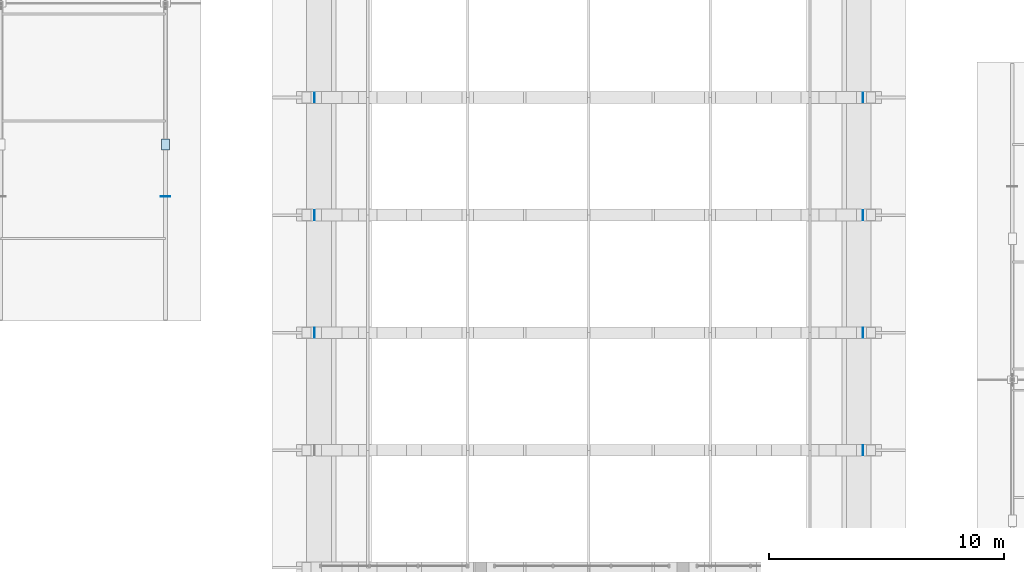
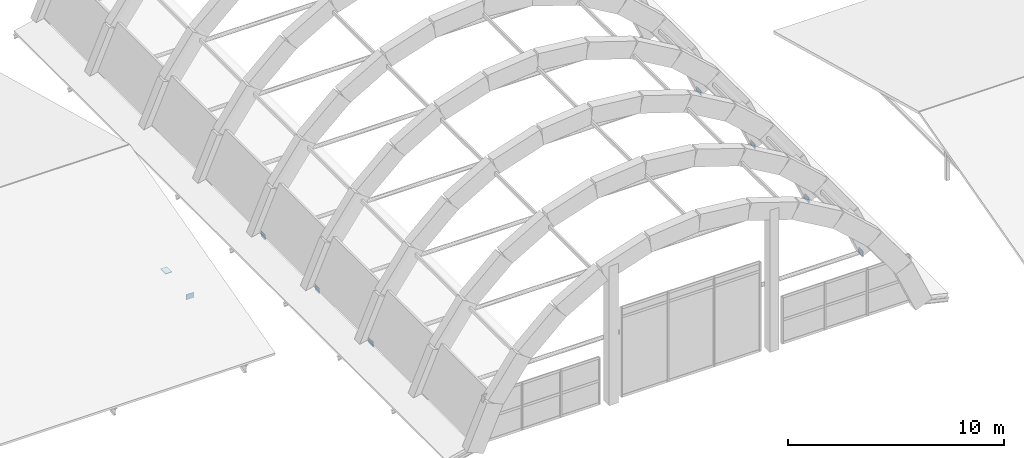
# One storey, part 30 of 76: 9 plates.
"""IFC4 building model written with IfcOpenShell, lengths in metres."""

from ifc_helpers import new_model, si_unit, direction, frame, origin, origin_2d, place, context, subcontext, project, spatial, rectangle, extrude, material, layer, layer_set, type_object, element, save


model = new_model("IFC4")

# Units and contexts
model_context = context("Model", 3, precision=1e-05, world=origin(), true_north=direction((0.0, 1.0)))
body_context = subcontext(model_context, "Body", "Model", "MODEL_VIEW")
ifc_project = project(units=[si_unit("LENGTHUNIT", "METRE"), si_unit("AREAUNIT", "SQUARE_METRE"), si_unit("VOLUMEUNIT", "CUBIC_METRE"), si_unit("PLANEANGLEUNIT", "RADIAN"), si_unit("MASSUNIT", "GRAM", prefix="KILO")], contexts=[model_context])

# Site, building, storey
site_placement = place(None, origin())
site = spatial("IfcSite", under=ifc_project, at=site_placement, CompositionType="ELEMENT")
building_placement = place(site_placement, origin())
building = spatial("IfcBuilding", under=site, at=building_placement, Name="Kiranvali Square Residences", CompositionType="ELEMENT")
storey_placement = place(building_placement, frame((0.0, 0.0, 8.699951171875)))
storey = spatial("IfcBuildingStorey", under=building, at=storey_placement, Name="L02", CompositionType="ELEMENT", Elevation=8.699951171875)

# Plates
ifc_material = material(Name="Structural steel E350", Category="steel")
ifc_layer_1 = layer(ifc_material, 0.02001953125)
ifc_layer_set_1 = layer_set([ifc_layer_1], Name="Structural steel E350")
plate_type_1 = type_object("IfcPlateType", Name="PLT-ENDCAP-20", PredefinedType="SHEET", material=ifc_layer_set_1)
for number, where, z_axis, x_axis, name in (
    (1, (95.659912109375, 49.0, -0.39990234375), (0.0, 0.0, 1.0), (1.0, 0.0, 0.0), "Vault tie rod end plate 2-E"),
    (2, (72.340087890625, 54.0, -0.39990234375), (0.0, 0.0, 1.0), (1.0, 0.0, 0.0), "Vault tie rod end plate 3-W"),
    (3, (95.659912109375, 54.0, -0.39990234375), (0.0, 0.0, 1.0), (1.0, 0.0, 0.0), "Vault tie rod end plate 3-E"),
    (4, (72.340087890625, 59.0, -0.39990234375), (0.0, 0.0, 1.0), (1.0, 0.0, 0.0), "Vault tie rod end plate 4-W"),
    (5, (95.659912109375, 59.0, -0.39990234375), (0.0, 0.0, 1.0), (1.0, 0.0, 0.0), "Vault tie rod end plate 4-E"),
    (6, (72.340087890625, 64.0, -0.39990234375), (0.0, 0.0, 1.0), (1.0, 0.0, 0.0), "Vault tie rod end plate 5-W"),
    (7, (95.659912109375, 64.0, -0.39990234375), (0.0, 0.0, 1.0), (1.0, 0.0, 0.0), "Vault tie rod end plate 5-E"),
):
    element("IfcPlate", number, at=place(storey_placement, frame(where, z_axis=z_axis, x_axis=x_axis)), inside=storey, type_object=plate_type_1, Name=name, PredefinedType="SHEET", context=body_context, shape_type="SweptSolid", body=[
        extrude(rectangle(XDim=0.02001953125, YDim=0.419921875, at=origin_2d()), origin(), (0.0, 0.0, 1.0), 0.300048828125),
    ])
plate_1_placement = place(storey_placement, frame((66.0, 59.7880859375, 0.9501953125), z_axis=(0.0, 0.0, 1.0), x_axis=(1.0, 0.0, 0.0)))
element("IfcPlate", 8, at=plate_1_placement, inside=storey, type_object=plate_type_1, Name="Nursery Pavilion chord end-cap plate 5-S", PredefinedType="SHEET", context=body_context, shape_type="SweptSolid", body=[
    extrude(rectangle(XDim=0.419921875, YDim=0.02001953125, at=origin_2d()), origin(), (0.0, 0.0, 1.0), 0.300048828125),
])
ifc_layer_2 = layer(ifc_material, 0.02490234375)
ifc_layer_set_2 = layer_set([ifc_layer_2], Name="Structural steel E350")
plate_type_2 = type_object("IfcPlateType", Name="PLT-GUSSET-25", PredefinedType="USERDEFINED", material=ifc_layer_set_2)
plate_2_placement = place(storey_placement, frame((66.0, 62.0, 1.18408203125), z_axis=(0.0, 0.0, 1.0), x_axis=(1.0, 0.0, 0.0)))
element("IfcPlate", 9, at=plate_2_placement, inside=storey, type_object=plate_type_2, Name="Nursery Pavilion bottom chord brace gusset plate 5-S", ObjectType="GUSSET PLATE", PredefinedType="USERDEFINED", context=body_context, shape_type="SweptSolid", body=[
    extrude(rectangle(XDim=0.340087890625, YDim=0.47998046875, at=origin_2d()), origin(), (0.0, 0.0, 1.0), 0.02490234375),
])

save(model, "model.ifc")
